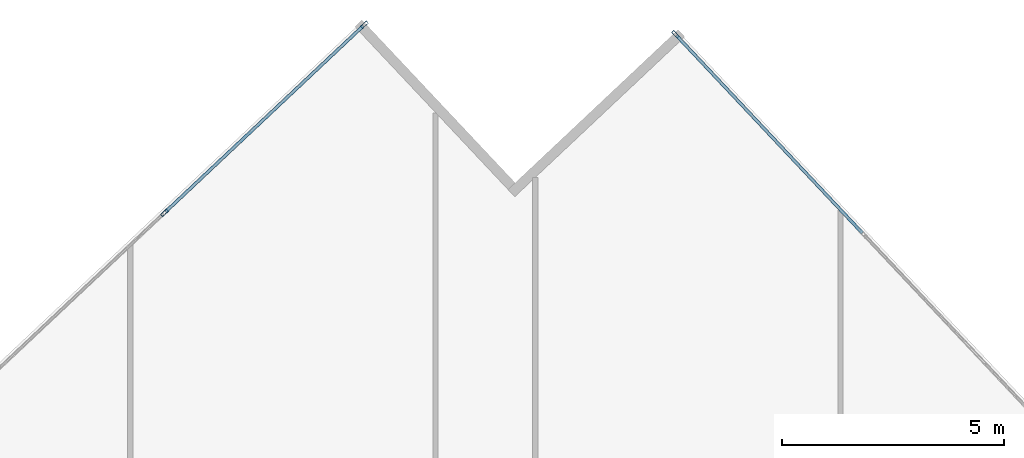
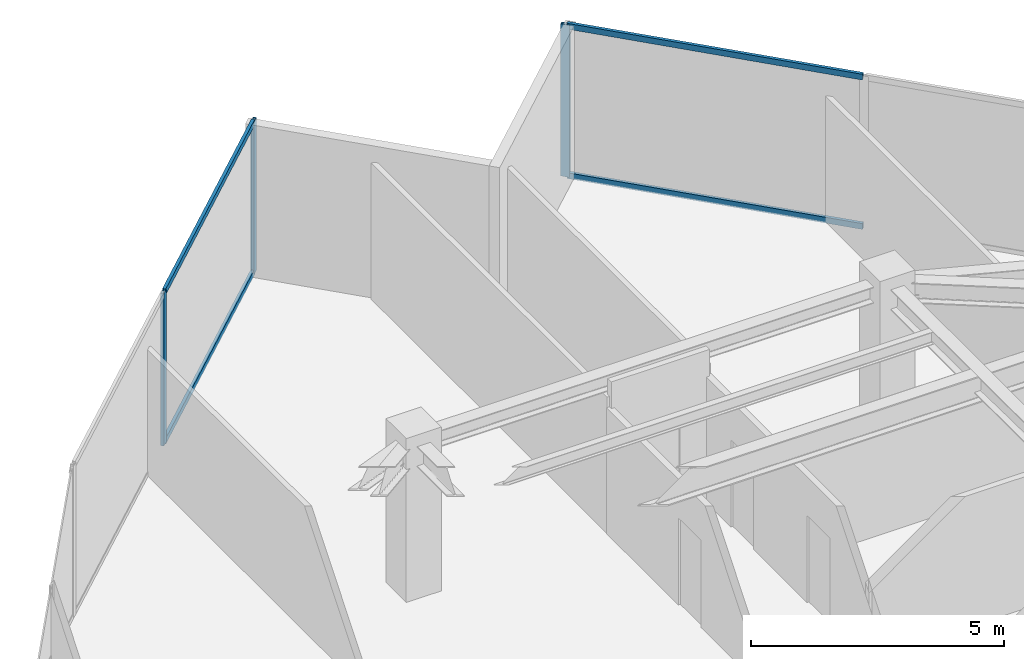
# One storey, part 16 of 24: 7 members, 2 elements without a shape of their own.
"""IFC4 building model written with IfcOpenShell, lengths in metres."""

from ifc_helpers import new_model, si_unit, direction, frame, origin, origin_2d, place, context, subcontext, project, spatial, hollow_rectangle, extrude, source, transform, mapped, material, material_profile, profile_set, type_object, type_shapes, element, aggregate, save


model = new_model("IFC4")

# Units and contexts
model_context = context("Model", 3, precision=1e-05, world=origin(), true_north=direction((0.0, 1.0)))
body_context = subcontext(model_context, "Body", "Model", "MODEL_VIEW")
ifc_project = project(units=[si_unit("LENGTHUNIT", "METRE"), si_unit("AREAUNIT", "SQUARE_METRE"), si_unit("VOLUMEUNIT", "CUBIC_METRE"), si_unit("PLANEANGLEUNIT", "RADIAN"), si_unit("MASSUNIT", "GRAM", prefix="KILO")], contexts=[model_context])

# Site, building, storey
site_placement = place(None, origin())
site = spatial("IfcSite", under=ifc_project, at=site_placement, CompositionType="ELEMENT")
building_placement = place(site_placement, origin())
building = spatial("IfcBuilding", under=site, at=building_placement, Name="Krantzveldt Concourse Tower", CompositionType="ELEMENT")
storey_placement = place(building_placement, frame((0.0, 0.0, 242.85009765625)))
storey = spatial("IfcBuildingStorey", under=building, at=storey_placement, Name="L59", CompositionType="ELEMENT", Elevation=242.85009765625)

# Curtain wall, members
ifc_material = material(Name="Anodised aluminium 6063-T6", Category="aluminium")
curtain_wall_type = type_object("IfcCurtainWallType", Name="CW3", PredefinedType="USERDEFINED", material=ifc_material)
curtain_wall_1_placement = place(storey_placement, origin())
curtain_wall_1 = element("IfcCurtainWall", 1, at=curtain_wall_1_placement, inside=storey, type_object=curtain_wall_type, Name="CW-L59-F01", ObjectType="UNITISED CURTAIN WALL", PredefinedType="USERDEFINED")
ifc_material_profile_1 = material_profile(ifc_material, hollow_rectangle(XDim=0.070068359375, YDim=0.179931640625, WallThickness=0.0048828125, at=origin_2d()), Name="Anodised aluminium 6063-T6", Category="aluminium")
ifc_profile_set_1 = profile_set([ifc_material_profile_1], Name="Anodised aluminium 6063-T6 - ALU-MULL 180x70x5")
member_type_1 = type_object("IfcMemberType", Name="CW-MUL-180", PredefinedType="MULLION", material=ifc_profile_set_1)
shared_shape_1 = source(origin(), body_context, "Body", "SweptSolid", [
    extrude(hollow_rectangle(XDim=0.070068359375, YDim=0.179931640625, WallThickness=0.0048828125, at=origin_2d()), origin(), (0.0, 0.0, 1.0), 3.669921875),
])
type_shapes(member_type_1, [shared_shape_1])
member_1_placement = place(storey_placement, frame((33.27978515625, 52.162353515625, 0.0), z_axis=(0.0, 0.0, 1.0), x_axis=(0.685182945184, -0.728371012348, 0.0)))
member_1 = element("IfcMember", 2, at=member_1_placement, type_object=member_type_1, Name="CW-Z34 mullion 1", PredefinedType="MULLION", context=body_context, shape_type="MappedRepresentation", body=[
    mapped(shared_shape_1, transform((0.0, 0.0, 0.0), x_axis=(1.0, 0.0, 0.0), y_axis=(0.0, 1.0, 0.0), z_axis=(0.0, 0.0, 1.0), scale=1.0)),
])
member_2_placement = place(storey_placement, frame((28.789306640625, 47.938232421875, 0.0), z_axis=(0.0, 0.0, 1.0), x_axis=(0.685182945184, -0.728371012348, 0.0)))
member_2 = element("IfcMember", 3, at=member_2_placement, type_object=member_type_1, Name="CW-Z34 mullion 2", PredefinedType="MULLION", context=body_context, shape_type="MappedRepresentation", body=[
    mapped(shared_shape_1, transform((0.0, 0.0, 0.0), x_axis=(1.0, 0.0, 0.0), y_axis=(0.0, 1.0, 0.0), z_axis=(0.0, 0.0, 1.0), scale=1.0)),
])

# Curtain wall, member
curtain_wall_2_placement = place(storey_placement, origin())
curtain_wall_2 = element("IfcCurtainWall", 4, at=curtain_wall_2_placement, inside=storey, type_object=curtain_wall_type, Name="CW-L59-F14", ObjectType="UNITISED CURTAIN WALL", PredefinedType="USERDEFINED")
member_3_placement = place(storey_placement, frame((40.269775390625, 51.94873046875, 0.0), z_axis=(0.0, 0.0, 1.0), x_axis=(-0.728371012348, -0.685182945184, 0.0)))
member_3 = element("IfcMember", 5, at=member_3_placement, type_object=member_type_1, Name="CW-Z34 mullion 6", PredefinedType="MULLION", context=body_context, shape_type="MappedRepresentation", body=[
    mapped(shared_shape_1, transform((0.0, 0.0, 0.0), x_axis=(1.0, 0.0, 0.0), y_axis=(0.0, 1.0, 0.0), z_axis=(0.0, 0.0, 1.0), scale=1.0)),
])

# Member
ifc_material_profile_2 = material_profile(ifc_material, hollow_rectangle(XDim=0.070068359375, YDim=0.139892578125, WallThickness=0.0048828125, at=origin_2d()), Name="Anodised aluminium 6063-T6", Category="aluminium")
ifc_profile_set_2 = profile_set([ifc_material_profile_2], Name="Anodised aluminium 6063-T6 - ALU-TRAN 140x70x5")
member_type_2 = type_object("IfcMemberType", Name="CW-TRN-150", PredefinedType="USERDEFINED", material=ifc_profile_set_2)
shared_shape_2 = source(origin(), body_context, "Body", "SweptSolid", [
    extrude(hollow_rectangle(XDim=0.070068359375, YDim=0.139892578125, WallThickness=0.0048828125, at=origin_2d()), origin(), (0.0, 0.0, 1.0), 6.094970703125),
])
type_shapes(member_type_2, [shared_shape_2])
member_4_placement = place(storey_placement, frame((33.254150390625, 52.138427734375, 0.034912109375), z_axis=(-0.728366954224, -0.685187259072, 0.0), x_axis=(0.685187259072, -0.728366954224, 0.0)))
member_4 = element("IfcMember", 6, at=member_4_placement, type_object=member_type_2, Name="CW-Z34 transom 1.1", ObjectType="TRANSOM", PredefinedType="USERDEFINED", context=body_context, shape_type="MappedRepresentation", body=[
    mapped(shared_shape_2, transform((0.0, 0.0, 0.0), x_axis=(1.0, 0.0, 0.0), y_axis=(0.0, 1.0, 0.0), z_axis=(0.0, 0.0, 1.0), scale=1.0)),
])

member_5_placement = place(storey_placement, frame((33.254150390625, 52.138427734375, 3.635009765625), z_axis=(-0.728366954224, -0.685187259072, 0.0), x_axis=(0.685187259072, -0.728366954224, 0.0)))
member_5 = element("IfcMember", 7, at=member_5_placement, type_object=member_type_2, Name="CW-Z34 transom 1.2", ObjectType="TRANSOM", PredefinedType="USERDEFINED", context=body_context, shape_type="MappedRepresentation", body=[
    mapped(shared_shape_2, transform((0.0, 0.0, 0.0), x_axis=(1.0, 0.0, 0.0), y_axis=(0.0, 1.0, 0.0), z_axis=(0.0, 0.0, 1.0), scale=1.0)),
])

aggregate(curtain_wall_1, [member_1, member_2, member_4, member_5])

member_6_placement = place(storey_placement, frame((44.469970703125, 47.48388671875, 0.034912109375), z_axis=(-0.685187259072, 0.728366954224, 0.0), x_axis=(-0.728366954224, -0.685187259072, 0.0)))
member_6 = element("IfcMember", 8, at=member_6_placement, type_object=member_type_2, Name="CW-Z34 transom 5.1", ObjectType="TRANSOM", PredefinedType="USERDEFINED", context=body_context, shape_type="MappedRepresentation", body=[
    mapped(shared_shape_2, transform((0.0, 0.0, 0.0), x_axis=(1.0, 0.0, 0.0), y_axis=(0.0, 1.0, 0.0), z_axis=(0.0, 0.0, 1.0), scale=1.0)),
])

member_7_placement = place(storey_placement, frame((44.469970703125, 47.48388671875, 3.635009765625), z_axis=(-0.685187259072, 0.728366954224, 0.0), x_axis=(-0.728366954224, -0.685187259072, 0.0)))
member_7 = element("IfcMember", 9, at=member_7_placement, type_object=member_type_2, Name="CW-Z34 transom 5.2", ObjectType="TRANSOM", PredefinedType="USERDEFINED", context=body_context, shape_type="MappedRepresentation", body=[
    mapped(shared_shape_2, transform((0.0, 0.0, 0.0), x_axis=(1.0, 0.0, 0.0), y_axis=(0.0, 1.0, 0.0), z_axis=(0.0, 0.0, 1.0), scale=1.0)),
])

aggregate(curtain_wall_2, [member_3, member_6, member_7])

save(model, "model.ifc")
